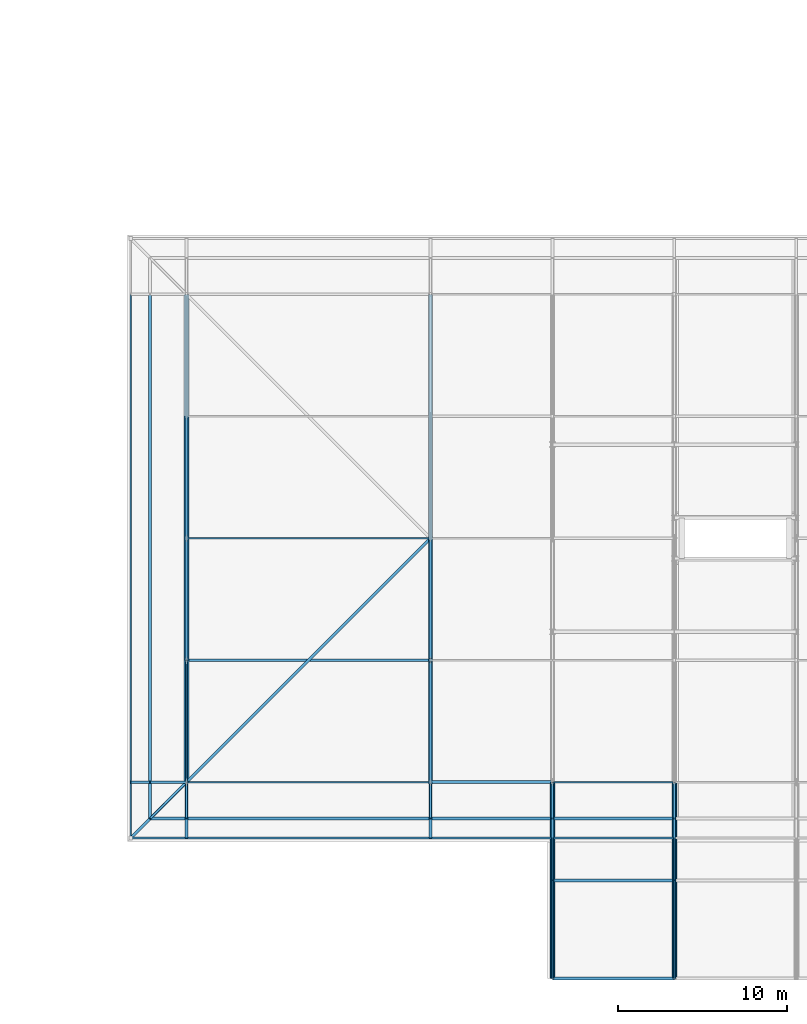
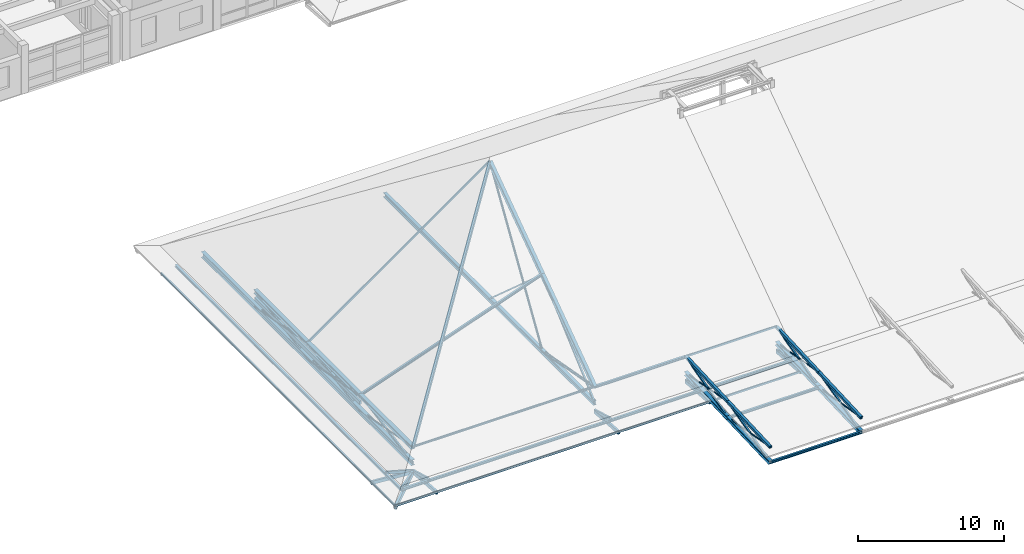
# One storey, part 3 of 100: 64 members, 2 beams.
"""IFC4 building model written with IfcOpenShell, lengths in metres."""

from ifc_helpers import new_model, si_unit, direction, frame, origin, origin_2d, place, context, subcontext, project, spatial, rectangle, hollow_rectangle, hollow_circle, i_section, extrude, material, material_profile, profile_set, type_object, element, save


model = new_model("IFC4")

# Units and contexts
model_context = context("Model", 3, precision=1e-05, world=origin(), true_north=direction((0.0, 1.0)))
body_context = subcontext(model_context, "Body", "Model", "MODEL_VIEW")
ifc_project = project(units=[si_unit("LENGTHUNIT", "METRE"), si_unit("AREAUNIT", "SQUARE_METRE"), si_unit("VOLUMEUNIT", "CUBIC_METRE"), si_unit("PLANEANGLEUNIT", "RADIAN"), si_unit("MASSUNIT", "GRAM", prefix="KILO")], contexts=[model_context])

# Site, building, storey
site_placement = place(None, origin())
site = spatial("IfcSite", under=ifc_project, at=site_placement, CompositionType="ELEMENT")
building_placement = place(site_placement, origin())
building = spatial("IfcBuilding", under=site, at=building_placement, Name="Steenspoor Specialist Clinic", CompositionType="ELEMENT")
storey_placement = place(building_placement, frame((0.0, 0.0, 9.0)))
storey = spatial("IfcBuildingStorey", under=building, at=storey_placement, Name="L02", CompositionType="ELEMENT", Elevation=9.0)

# Beams
ifc_material_1 = material(Name="Steel A992 Grade 50", Category="steel")
ifc_material_profile_1 = material_profile(ifc_material_1, i_section(OverallWidth=0.257080078125, OverallDepth=0.363037109375, WebThickness=0.012939453125, FlangeThickness=0.021728515625, at=origin_2d()), Name="W360X122")
ifc_profile_set_1 = profile_set([ifc_material_profile_1], Name="Steel A992 Grade 50")
beam_type_1 = type_object("IfcBeamType", Name="BM-ST-W360X122", PredefinedType="BEAM", material=ifc_profile_set_1)
beam_1_placement = place(storey_placement, frame((59.60009765625, 13.050048828125, 0.201416015625), z_axis=(0.0, 1.0, 0.0), x_axis=(-1.0, 0.0, 0.0)))
element("IfcBeam", 1, at=beam_1_placement, inside=storey, type_object=beam_type_1, Name="ROOF TRUSS Bottom Tie Chord V1 3", PredefinedType="BEAM", context=body_context, shape_type="SweptSolid", body=[
    extrude(i_section(OverallWidth=0.257080078125, OverallDepth=0.363037109375, WebThickness=0.012939453125, FlangeThickness=0.021728515625, at=origin_2d()), origin(), (0.0, 0.0, 1.0), 28.800048828125),
])
ifc_material_profile_2 = material_profile(ifc_material_1, i_section(OverallWidth=0.280029296875, OverallDepth=0.462890625, WebThickness=0.0107421875, FlangeThickness=0.017333984375, at=origin_2d()), Name="W460X113")
ifc_profile_set_2 = profile_set([ifc_material_profile_2], Name="Steel A992 Grade 50")
beam_type_2 = type_object("IfcBeamType", Name="BM-ST-W460X113", PredefinedType="BEAM", material=ifc_profile_set_2)
beam_2_placement = place(storey_placement, frame((45.199951171875, 13.050048828125, 0.25146484375), z_axis=(0.0, 1.0, 0.0), x_axis=(-1.0, 0.0, 0.0)))
element("IfcBeam", 2, at=beam_2_placement, inside=storey, type_object=beam_type_2, Name="ROOF TRUSS Bottom Tie Chord V1 1", PredefinedType="BEAM", context=body_context, shape_type="SweptSolid", body=[
    extrude(i_section(OverallWidth=0.280029296875, OverallDepth=0.462890625, WebThickness=0.0107421875, FlangeThickness=0.017333984375, at=origin_2d()), origin(), (0.0, 0.0, 1.0), 28.800048828125),
])

# Members
ifc_material_2 = material(Name="Steel A500 Grade C", Category="steel")
ifc_material_profile_3 = material_profile(ifc_material_2, hollow_circle(Radius=0.084228515625, WallThickness=0.007080078125, at=origin_2d()), Name="CHS168X7.1")
ifc_profile_set_3 = profile_set([ifc_material_profile_3], Name="Steel A500 Grade C")
member_type_1 = type_object("IfcMemberType", Name="MEM-BRACE-CHS168", PredefinedType="BRACE", material=ifc_profile_set_3)
member_1_placement = place(storey_placement, frame((45.199951171875, 27.449951171875, 1.537353515625), z_axis=(0.0, 0.984423242764, -0.175814900127), x_axis=(-1.0, 0.0, 0.0)))
element("IfcMember", 3, at=member_1_placement, inside=storey, type_object=member_type_1, Name="ROOF TRUSS Web Brace V1 1.3", PredefinedType="BRACE", context=body_context, shape_type="SweptSolid", body=[
    extrude(hollow_circle(Radius=0.084228515625, WallThickness=0.007080078125, at=origin_2d()), origin(), (0.0, 0.0, 1.0), 7.31396484375),
])
member_2_placement = place(storey_placement, frame((59.60009765625, 20.25, 0.201416015625), z_axis=(0.0, 0.531931785748, 0.84678720781), x_axis=(-1.0, 0.0, 0.0)))
element("IfcMember", 4, at=member_2_placement, inside=storey, type_object=member_type_1, Name="ROOF TRUSS Web Brace V1 3.2", PredefinedType="BRACE", context=body_context, shape_type="SweptSolid", body=[
    extrude(hollow_circle(Radius=0.084228515625, WallThickness=0.007080078125, at=origin_2d()), origin(), (0.0, 0.0, 1.0), 13.535400390625),
])
ifc_material_profile_4 = material_profile(ifc_material_2, hollow_rectangle(XDim=0.126953125, YDim=0.126953125, WallThickness=0.0087890625, at=origin_2d()), Name="HSS127X127X9.5")
ifc_profile_set_4 = profile_set([ifc_material_profile_4], Name="Steel A500 Grade C")
member_type_2 = type_object("IfcMemberType", Name="MEM-BRACE-H127A", PredefinedType="BRACE", material=ifc_profile_set_4)
member_3_placement = place(storey_placement, frame((45.199951171875, 13.050048828125, 0.25146484375), z_axis=(0.0, 0.984423242764, 0.175814900127), x_axis=(-1.0, 0.0, 0.0)))
element("IfcMember", 5, at=member_3_placement, inside=storey, type_object=member_type_2, Name="ROOF TRUSS Web Brace V1 1.1", PredefinedType="BRACE", context=body_context, shape_type="SweptSolid", body=[
    extrude(hollow_rectangle(XDim=0.126953125, YDim=0.126953125, WallThickness=0.0087890625, at=origin_2d()), origin(), (0.0, 0.0, 1.0), 7.31396484375),
])
member_4_placement = place(storey_placement, frame((66.800048828125, 13.050048828125, 1.580078125), z_axis=(0.0, -0.964051423942, -0.265715735319), x_axis=(1.0, 0.0, 0.0)))
element("IfcMember", 6, at=member_4_placement, inside=storey, type_object=member_type_2, Name="ROOF TRUSS Entrance Canopy Web Diagonal V1 4.1", PredefinedType="BRACE", context=body_context, shape_type="SweptSolid", body=[
    extrude(hollow_rectangle(XDim=0.126953125, YDim=0.126953125, WallThickness=0.0087890625, at=origin_2d()), origin(), (0.0, 0.0, 1.0), 6.016357421875),
])
member_5_placement = place(storey_placement, frame((66.800048828125, 7.25, 1.30029296875), z_axis=(0.0, -0.966560323044, -0.256439353292), x_axis=(1.0, 0.0, 0.0)))
element("IfcMember", 7, at=member_5_placement, inside=storey, type_object=member_type_2, Name="ROOF TRUSS Entrance Canopy Web Diagonal V1 4.2", PredefinedType="BRACE", context=body_context, shape_type="SweptSolid", body=[
    extrude(hollow_rectangle(XDim=0.126953125, YDim=0.126953125, WallThickness=0.0087890625, at=origin_2d()), origin(), (0.0, 0.0, 1.0), 6.000732421875),
])
member_6_placement = place(storey_placement, frame((74.0, 13.050048828125, 1.514892578125), z_axis=(0.0, -0.966781869286, -0.25560285057), x_axis=(1.0, 0.0, 0.0)))
element("IfcMember", 8, at=member_6_placement, inside=storey, type_object=member_type_2, Name="ROOF TRUSS Entrance Canopy Web Diagonal V1 5.1", PredefinedType="BRACE", context=body_context, shape_type="SweptSolid", body=[
    extrude(hollow_rectangle(XDim=0.126953125, YDim=0.126953125, WallThickness=0.0087890625, at=origin_2d()), origin(), (0.0, 0.0, 1.0), 5.999267578125),
])
member_7_placement = place(storey_placement, frame((74.0, 7.25, 1.23486328125), z_axis=(0.0, -0.96921639928, -0.246210420914), x_axis=(1.0, 0.0, 0.0)))
element("IfcMember", 9, at=member_7_placement, inside=storey, type_object=member_type_2, Name="ROOF TRUSS Entrance Canopy Web Diagonal V1 5.2", PredefinedType="BRACE", context=body_context, shape_type="SweptSolid", body=[
    extrude(hollow_rectangle(XDim=0.126953125, YDim=0.126953125, WallThickness=0.0087890625, at=origin_2d()), origin(), (0.0, 0.0, 1.0), 5.984375),
])
ifc_material_profile_5 = material_profile(ifc_material_2, hollow_rectangle(XDim=0.126953125, YDim=0.126953125, WallThickness=0.005859375, at=origin_2d()), Name="HSS127X127X6.4")
ifc_profile_set_5 = profile_set([ifc_material_profile_5], Name="Steel A500 Grade C")
member_type_3 = type_object("IfcMemberType", Name="MEM-BRACE-H127B", PredefinedType="BRACE", material=ifc_profile_set_5)
member_8_placement = place(storey_placement, frame((45.199951171875, 20.25, 0.25146484375), z_axis=(0.0, 0.984423242764, 0.175814900127), x_axis=(-1.0, 0.0, 0.0)))
element("IfcMember", 10, at=member_8_placement, inside=storey, type_object=member_type_3, Name="ROOF TRUSS Web Brace V1 1.2", PredefinedType="BRACE", context=body_context, shape_type="SweptSolid", body=[
    extrude(hollow_rectangle(XDim=0.126953125, YDim=0.126953125, WallThickness=0.005859375, at=origin_2d()), origin(), (0.0, 0.0, 1.0), 7.31396484375),
])
member_9_placement = place(storey_placement, frame((59.60009765625, 13.050048828125, 0.201416015625), z_axis=(0.0, 0.74804153249, 0.663651916045), x_axis=(-1.0, 0.0, 0.0)))
element("IfcMember", 11, at=member_9_placement, inside=storey, type_object=member_type_3, Name="ROOF TRUSS Web Brace V1 3.1", PredefinedType="BRACE", context=body_context, shape_type="SweptSolid", body=[
    extrude(hollow_rectangle(XDim=0.126953125, YDim=0.126953125, WallThickness=0.005859375, at=origin_2d()), origin(), (0.0, 0.0, 1.0), 9.625),
])
ifc_material_profile_6 = material_profile(ifc_material_2, hollow_rectangle(XDim=0.203125, YDim=0.203125, WallThickness=0.01171875, at=origin_2d()), Name="HSS203X203X12.7")
ifc_profile_set_6 = profile_set([ifc_material_profile_6], Name="Steel A500 Grade C")
member_type_4 = type_object("IfcMemberType", Name="MEM-CHORD-H203", PredefinedType="CHORD", material=ifc_profile_set_6)
for number, where, z_axis, x_axis, name in (
    (12, (66.800048828125, 13.050048828125, 1.580078125), (0.0, -0.998838554282, -0.048182387642), (1.0, 0.0, 0.0), "ROOF TRUSS Entrance Canopy Top Chord V1 4.1"),
    (13, (66.800048828125, 7.25, 1.30029296875), (0.0, -0.99883652998, -0.048224333876), (1.0, 0.0, 0.0), "ROOF TRUSS Entrance Canopy Top Chord V1 4.2"),
    (14, (74.0, 13.050048828125, 1.514892578125), (0.0, -0.99883652998, -0.048224333876), (1.0, 0.0, 0.0), "ROOF TRUSS Entrance Canopy Top Chord V1 5.1"),
    (15, (74.0, 7.25, 1.23486328125), (0.0, -0.99883652998, -0.048224333876), (1.0, 0.0, 0.0), "ROOF TRUSS Entrance Canopy Top Chord V1 5.2"),
):
    element("IfcMember", number, at=place(storey_placement, frame(where, z_axis=z_axis, x_axis=x_axis)), inside=storey, type_object=member_type_4, Name=name, PredefinedType="CHORD", context=body_context, shape_type="SweptSolid", body=[
        extrude(hollow_rectangle(XDim=0.203125, YDim=0.203125, WallThickness=0.01171875, at=origin_2d()), origin(), (0.0, 0.0, 1.0), 5.806884765625),
    ])
ifc_material_profile_7 = material_profile(ifc_material_1, i_section(OverallWidth=0.304931640625, OverallDepth=0.30810546875, WebThickness=0.010009765625, FlangeThickness=0.015380859375, at=origin_2d()), Name="W310X97")
ifc_profile_set_7 = profile_set([ifc_material_profile_7], Name="Steel A992 Grade 50")
member_type_5 = type_object("IfcMemberType", Name="MEM-CHORD-W310", PredefinedType="CHORD", material=ifc_profile_set_7)
for number, where, z_axis, x_axis, name in (
    (16, (45.199951171875, 13.050048828125, 1.537353515625), (0.0, 1.0, 0.0), (-1.0, 0.0, 0.0), "ROOF TRUSS Top Chord V1 1.1"),
    (17, (45.199951171875, 20.25, 1.537353515625), (0.0, 1.0, 0.0), (-1.0, 0.0, 0.0), "ROOF TRUSS Top Chord V1 1.2"),
    (18, (45.199951171875, 27.449951171875, 1.537353515625), (0.0, 1.0, 0.0), (-1.0, 0.0, 0.0), "ROOF TRUSS Top Chord V1 1.3"),
):
    element("IfcMember", number, at=place(storey_placement, frame(where, z_axis=z_axis, x_axis=x_axis)), inside=storey, type_object=member_type_5, Name=name, PredefinedType="CHORD", context=body_context, shape_type="SweptSolid", body=[
        extrude(i_section(OverallWidth=0.304931640625, OverallDepth=0.30810546875, WebThickness=0.010009765625, FlangeThickness=0.015380859375, at=origin_2d()), origin(), (0.0, 0.0, 1.0), 7.199951171875),
    ])
for number, where, z_axis, x_axis, name in (
    (19, (66.800048828125, 13.050048828125, 0.201416015625), (0.0, -0.999281596901, -0.0378984181), (1.0, 0.0, 0.0), "ROOF TRUSS Entrance Canopy Bottom Chord V1 4.1"),
    (20, (66.800048828125, 7.25, -0.0185546875), (0.0, -0.999281596901, -0.0378984181), (1.0, 0.0, 0.0), "ROOF TRUSS Entrance Canopy Bottom Chord V1 4.2"),
    (21, (74.0, 13.050048828125, 0.201416015625), (0.0, -0.999281596901, -0.0378984181), (1.0, 0.0, 0.0), "ROOF TRUSS Entrance Canopy Bottom Chord V1 5.1"),
    (22, (74.0, 7.25, -0.0185546875), (0.0, -0.999281596901, -0.0378984181), (1.0, 0.0, 0.0), "ROOF TRUSS Entrance Canopy Bottom Chord V1 5.2"),
):
    element("IfcMember", number, at=place(storey_placement, frame(where, z_axis=z_axis, x_axis=x_axis)), inside=storey, type_object=member_type_5, Name=name, PredefinedType="CHORD", context=body_context, shape_type="SweptSolid", body=[
        extrude(i_section(OverallWidth=0.304931640625, OverallDepth=0.30810546875, WebThickness=0.010009765625, FlangeThickness=0.015380859375, at=origin_2d()), origin(), (0.0, 0.0, 1.0), 5.80419921875),
    ])
ifc_material_profile_8 = material_profile(ifc_material_1, i_section(OverallWidth=0.257080078125, OverallDepth=0.363037109375, WebThickness=0.012939453125, FlangeThickness=0.021728515625, at=origin_2d()), Name="W360X122")
ifc_profile_set_8 = profile_set([ifc_material_profile_8], Name="Steel A992 Grade 50")
member_type_6 = type_object("IfcMemberType", Name="MEM-CHORD-W360", PredefinedType="CHORD", material=ifc_profile_set_8)
member_10_placement = place(storey_placement, frame((59.60009765625, 13.050048828125, 1.514892578125), z_axis=(0.0, 0.817400862254, 0.576069293042), x_axis=(-1.0, 0.0, 0.0)))
element("IfcMember", 23, at=member_10_placement, inside=storey, type_object=member_type_6, Name="ROOF TRUSS Top Chord V1 3.1", PredefinedType="CHORD", context=body_context, shape_type="SweptSolid", body=[
    extrude(i_section(OverallWidth=0.257080078125, OverallDepth=0.363037109375, WebThickness=0.012939453125, FlangeThickness=0.021728515625, at=origin_2d()), origin(), (0.0, 0.0, 1.0), 8.808349609375),
])
member_11_placement = place(storey_placement, frame((59.60009765625, 20.25, 6.589111328125), z_axis=(0.0, 0.817413913602, 0.576050773673), x_axis=(-1.0, 0.0, 0.0)))
element("IfcMember", 24, at=member_11_placement, inside=storey, type_object=member_type_6, Name="ROOF TRUSS Top Chord V1 3.2", PredefinedType="CHORD", context=body_context, shape_type="SweptSolid", body=[
    extrude(i_section(OverallWidth=0.257080078125, OverallDepth=0.363037109375, WebThickness=0.012939453125, FlangeThickness=0.021728515625, at=origin_2d()), origin(), (0.0, 0.0, 1.0), 8.80810546875),
])
ifc_material_profile_9 = material_profile(ifc_material_2, hollow_rectangle(XDim=0.1015625, YDim=0.15234375, WallThickness=0.005859375, at=origin_2d()), Name="HSS152X102X6.4")
ifc_profile_set_9 = profile_set([ifc_material_profile_9], Name="Steel A500 Grade C")
member_type_7 = type_object("IfcMemberType", Name="MEM-PURLIN-H152", PredefinedType="PURLIN", material=ifc_profile_set_9)
member_12_placement = place(storey_placement, frame((41.89990234375, 9.75, -0.19482421875), z_axis=(1.0, 0.0, 0.0), x_axis=(0.0, 1.0, 0.0)))
element("IfcMember", 25, at=member_12_placement, inside=storey, type_object=member_type_7, Name="ROOF TRUSS Eave Fascia 1", PredefinedType="PURLIN", context=body_context, shape_type="SweptSolid", body=[
    extrude(hollow_rectangle(XDim=0.1015625, YDim=0.15234375, WallThickness=0.005859375, at=origin_2d()), origin(), (0.0, 0.0, 1.0), 3.300048828125),
])
member_13_placement = place(storey_placement, frame((45.199951171875, 9.75, -0.19482421875), z_axis=(1.0, 0.0, 0.0), x_axis=(0.0, 1.0, 0.0)))
element("IfcMember", 26, at=member_13_placement, inside=storey, type_object=member_type_7, Name="ROOF TRUSS Eave Fascia 2", PredefinedType="PURLIN", context=body_context, shape_type="SweptSolid", body=[
    extrude(hollow_rectangle(XDim=0.1015625, YDim=0.15234375, WallThickness=0.005859375, at=origin_2d()), origin(), (0.0, 0.0, 1.0), 14.400146484375),
])
for number, where, z_axis, x_axis, name in (
    (27, (59.60009765625, 9.75, -0.19482421875), (1.0, 0.0, 0.0), (0.0, 1.0, 0.0), "ROOF TRUSS Eave Fascia 3"),
    (28, (66.800048828125, 9.75, -0.19482421875), (1.0, 0.0, 0.0), (0.0, 1.0, 0.0), "ROOF TRUSS Eave Fascia 4"),
):
    element("IfcMember", number, at=place(storey_placement, frame(where, z_axis=z_axis, x_axis=x_axis)), inside=storey, type_object=member_type_7, Name=name, PredefinedType="PURLIN", context=body_context, shape_type="SweptSolid", body=[
        extrude(hollow_rectangle(XDim=0.1015625, YDim=0.15234375, WallThickness=0.005859375, at=origin_2d()), origin(), (0.0, 0.0, 1.0), 7.199951171875),
    ])
member_14_placement = place(storey_placement, frame((41.89990234375, 9.75, -0.19482421875), z_axis=(0.0, 1.0, 0.0), x_axis=(-1.0, 0.0, 0.0)))
element("IfcMember", 29, at=member_14_placement, inside=storey, type_object=member_type_7, Name="ROOF TRUSS Eave Fascia 19", PredefinedType="PURLIN", context=body_context, shape_type="SweptSolid", body=[
    extrude(hollow_rectangle(XDim=0.1015625, YDim=0.15234375, WallThickness=0.005859375, at=origin_2d()), origin(), (0.0, 0.0, 1.0), 3.300048828125),
])
member_15_placement = place(storey_placement, frame((41.89990234375, 13.050048828125, -0.19482421875), z_axis=(0.0, 1.0, 0.0), x_axis=(-1.0, 0.0, 0.0)))
element("IfcMember", 30, at=member_15_placement, inside=storey, type_object=member_type_7, Name="ROOF TRUSS Eave Fascia 20", PredefinedType="PURLIN", context=body_context, shape_type="SweptSolid", body=[
    extrude(hollow_rectangle(XDim=0.1015625, YDim=0.15234375, WallThickness=0.005859375, at=origin_2d()), origin(), (0.0, 0.0, 1.0), 28.800048828125),
])
member_16_placement = place(storey_placement, frame((45.199951171875, 27.449951171875, 1.587158203125), z_axis=(0.817411986757, 0.0, 0.57605350785), x_axis=(0.0, 1.0, 0.0)))
element("IfcMember", 31, at=member_16_placement, inside=storey, type_object=member_type_7, Name="ROOF TRUSS Purlin 45", PredefinedType="PURLIN", context=body_context, shape_type="SweptSolid", body=[
    extrude(hollow_rectangle(XDim=0.1015625, YDim=0.15234375, WallThickness=0.005859375, at=origin_2d()), origin(), (0.0, 0.0, 1.0), 17.61669921875),
])
member_17_placement = place(storey_placement, frame((66.800048828125, 13.050048828125, 1.587158203125), z_axis=(1.0, 0.0, 0.0), x_axis=(0.0, 1.0, 0.0)))
element("IfcMember", 32, at=member_17_placement, inside=storey, type_object=member_type_7, Name="ROOF TRUSS Purlin 53", PredefinedType="PURLIN", context=body_context, shape_type="SweptSolid", body=[
    extrude(hollow_rectangle(XDim=0.1015625, YDim=0.15234375, WallThickness=0.005859375, at=origin_2d()), origin(), (0.0, 0.0, 1.0), 7.199951171875),
])
ifc_material_profile_10 = material_profile(ifc_material_1, i_section(OverallWidth=0.10205078125, OverallDepth=0.159912109375, WebThickness=0.006591796875, FlangeThickness=0.01025390625, at=origin_2d()), Name="W150X24")
ifc_profile_set_10 = profile_set([ifc_material_profile_10], Name="Steel A992 Grade 50")
member_type_8 = type_object("IfcMemberType", Name="MEM-PURLIN-W150", PredefinedType="PURLIN", material=ifc_profile_set_10)
member_18_placement = place(storey_placement, frame((45.199951171875, 13.050048828125, 1.583251953125), z_axis=(1.0, 0.0, 0.0), x_axis=(0.0, 1.0, 0.0)))
element("IfcMember", 33, at=member_18_placement, inside=storey, type_object=member_type_8, Name="ROOF TRUSS Purlin 43", PredefinedType="PURLIN", context=body_context, shape_type="SweptSolid", body=[
    extrude(i_section(OverallWidth=0.10205078125, OverallDepth=0.159912109375, WebThickness=0.006591796875, FlangeThickness=0.01025390625, at=origin_2d()), origin(), (0.0, 0.0, 1.0), 14.400146484375),
])
ifc_material_profile_11 = material_profile(ifc_material_1, i_section(OverallWidth=0.1650390625, OverallDepth=0.200927734375, WebThickness=0.006103515625, FlangeThickness=0.01025390625, at=origin_2d()), Name="W200X36")
ifc_profile_set_11 = profile_set([ifc_material_profile_11], Name="Steel A992 Grade 50")
member_type_9 = type_object("IfcMemberType", Name="MEM-PURLIN-W200", PredefinedType="PURLIN", material=ifc_profile_set_11)
member_19_placement = place(storey_placement, frame((43.050048828125, 10.89990234375, 0.049560546875), z_axis=(1.0, 0.0, 0.0), x_axis=(0.0, 1.0, 0.0)))
element("IfcMember", 34, at=member_19_placement, inside=storey, type_object=member_type_9, Name="ROOF TRUSS Knuckle Purlin 22", PredefinedType="PURLIN", context=body_context, shape_type="SweptSolid", body=[
    extrude(i_section(OverallWidth=0.1650390625, OverallDepth=0.200927734375, WebThickness=0.006103515625, FlangeThickness=0.01025390625, at=origin_2d()), origin(), (0.0, 0.0, 1.0), 2.14990234375),
])
member_20_placement = place(storey_placement, frame((45.199951171875, 10.89990234375, 0.049560546875), z_axis=(1.0, 0.0, 0.0), x_axis=(0.0, 1.0, 0.0)))
element("IfcMember", 35, at=member_20_placement, inside=storey, type_object=member_type_9, Name="ROOF TRUSS Knuckle Purlin 24", PredefinedType="PURLIN", context=body_context, shape_type="SweptSolid", body=[
    extrude(i_section(OverallWidth=0.1650390625, OverallDepth=0.200927734375, WebThickness=0.006103515625, FlangeThickness=0.01025390625, at=origin_2d()), origin(), (0.0, 0.0, 1.0), 14.400146484375),
])
for number, where, z_axis, x_axis, name in (
    (36, (59.60009765625, 10.89990234375, 0.049560546875), (1.0, 0.0, 0.0), (0.0, 1.0, 0.0), "ROOF TRUSS Knuckle Purlin 26"),
    (37, (66.800048828125, 10.89990234375, 0.049560546875), (1.0, 0.0, 0.0), (0.0, 1.0, 0.0), "ROOF TRUSS Knuckle Purlin 28"),
):
    element("IfcMember", number, at=place(storey_placement, frame(where, z_axis=z_axis, x_axis=x_axis)), inside=storey, type_object=member_type_9, Name=name, PredefinedType="PURLIN", context=body_context, shape_type="SweptSolid", body=[
        extrude(i_section(OverallWidth=0.1650390625, OverallDepth=0.200927734375, WebThickness=0.006103515625, FlangeThickness=0.01025390625, at=origin_2d()), origin(), (0.0, 0.0, 1.0), 7.199951171875),
    ])
member_21_placement = place(storey_placement, frame((43.050048828125, 10.89990234375, 0.049560546875), z_axis=(0.0, 1.0, 0.0), x_axis=(-1.0, 0.0, 0.0)))
element("IfcMember", 38, at=member_21_placement, inside=storey, type_object=member_type_9, Name="ROOF TRUSS Knuckle Purlin 40", PredefinedType="PURLIN", context=body_context, shape_type="SweptSolid", body=[
    extrude(i_section(OverallWidth=0.1650390625, OverallDepth=0.200927734375, WebThickness=0.006103515625, FlangeThickness=0.01025390625, at=origin_2d()), origin(), (0.0, 0.0, 1.0), 2.150146484375),
])
member_22_placement = place(storey_placement, frame((43.050048828125, 13.050048828125, 0.049560546875), z_axis=(0.0, 1.0, 0.0), x_axis=(-1.0, 0.0, 0.0)))
element("IfcMember", 39, at=member_22_placement, inside=storey, type_object=member_type_9, Name="ROOF TRUSS Knuckle Purlin 41", PredefinedType="PURLIN", context=body_context, shape_type="SweptSolid", body=[
    extrude(i_section(OverallWidth=0.1650390625, OverallDepth=0.200927734375, WebThickness=0.006103515625, FlangeThickness=0.01025390625, at=origin_2d()), origin(), (0.0, 0.0, 1.0), 28.800048828125),
])
member_23_placement = place(storey_placement, frame((45.199951171875, 20.25, 1.562744140625), z_axis=(0.943158480686, 0.0, 0.332343316932), x_axis=(0.0, 1.0, 0.0)))
element("IfcMember", 40, at=member_23_placement, inside=storey, type_object=member_type_9, Name="ROOF TRUSS Purlin 44", PredefinedType="PURLIN", context=body_context, shape_type="SweptSolid", body=[
    extrude(i_section(OverallWidth=0.1650390625, OverallDepth=0.200927734375, WebThickness=0.006103515625, FlangeThickness=0.01025390625, at=origin_2d()), origin(), (0.0, 0.0, 1.0), 15.26806640625),
])
for number, where, z_axis, x_axis, name in (
    (41, (59.60009765625, 13.050048828125, 1.562744140625), (1.0, 0.0, 0.0), (0.0, 1.0, 0.0), "ROOF TRUSS Purlin 48"),
    (42, (66.800048828125, 7.25, -0.0185546875), (1.0, 0.0, 0.0), (0.0, 1.0, 0.0), "ROOF TRUSS Canopy Purlin 86"),
    (43, (66.800048828125, 1.449951171875, -0.238525390625), (1.0, 0.0, 0.0), (0.0, 1.0, 0.0), "ROOF TRUSS Canopy Purlin 87"),
):
    element("IfcMember", number, at=place(storey_placement, frame(where, z_axis=z_axis, x_axis=x_axis)), inside=storey, type_object=member_type_9, Name=name, PredefinedType="PURLIN", context=body_context, shape_type="SweptSolid", body=[
        extrude(i_section(OverallWidth=0.1650390625, OverallDepth=0.200927734375, WebThickness=0.006103515625, FlangeThickness=0.01025390625, at=origin_2d()), origin(), (0.0, 0.0, 1.0), 7.199951171875),
    ])
ifc_material_3 = material(Name="Glulam GL28h", Category="wood")
ifc_material_profile_12 = material_profile(ifc_material_3, rectangle(XDim=0.139892578125, YDim=0.219970703125, at=origin_2d()), Name="GL28H-140X220")
ifc_profile_set_12 = profile_set([ifc_material_profile_12], Name="Glulam GL28h")
member_type_10 = type_object("IfcMemberType", Name="MEM-RAFTER-GL220", PredefinedType="RAFTER", material=ifc_profile_set_12)
for number, where, z_axis, x_axis, name in (
    (44, (45.199951171875, 13.050048828125, -0.42333984375), (0.0, -0.963218029425, 0.268721096661), (1.0, 0.0, 0.0), "ROOF TRUSS Knuckle Rafter V1 2"),
    (45, (59.60009765625, 13.050048828125, -0.42333984375), (0.0, -0.963218029425, 0.268721096661), (1.0, 0.0, 0.0), "ROOF TRUSS Knuckle Rafter V1 6"),
    (46, (66.800048828125, 13.050048828125, -0.42333984375), (0.0, -0.963218029425, 0.268721096661), (1.0, 0.0, 0.0), "ROOF TRUSS Knuckle Rafter V1 10"),
    (47, (74.0, 13.050048828125, -0.42333984375), (0.0, -0.963218029425, 0.268721096661), (1.0, 0.0, 0.0), "ROOF TRUSS Knuckle Rafter V1 14"),
):
    element("IfcMember", number, at=place(storey_placement, frame(where, z_axis=z_axis, x_axis=x_axis)), inside=storey, type_object=member_type_10, Name=name, PredefinedType="RAFTER", context=body_context, shape_type="SweptSolid", body=[
        extrude(rectangle(XDim=0.139892578125, YDim=0.219970703125, at=origin_2d()), origin(), (0.0, 0.0, 1.0), 2.232177734375),
    ])
member_24_placement = place(storey_placement, frame((45.199951171875, 13.050048828125, -0.42333984375), z_axis=(-0.963210130486, 0.0, 0.268749408426), x_axis=(0.0, -1.0, 0.0)))
element("IfcMember", 48, at=member_24_placement, inside=storey, type_object=member_type_10, Name="ROOF TRUSS Knuckle Rafter V1 38", PredefinedType="RAFTER", context=body_context, shape_type="SweptSolid", body=[
    extrude(rectangle(XDim=0.139892578125, YDim=0.219970703125, at=origin_2d()), origin(), (0.0, 0.0, 1.0), 2.23193359375),
])
member_25_placement = place(storey_placement, frame((45.199951171875, 13.050048828125, -0.5), z_axis=(-0.690189561111, -0.690267938304, 0.217183201662), x_axis=(0.707146926915, -0.707066633179, 0.0)))
element("IfcMember", 49, at=member_25_placement, inside=storey, type_object=member_type_10, Name="ROOF TRUSS Corner Knuckle Rafter V1 42", PredefinedType="RAFTER", context=body_context, shape_type="SweptSolid", body=[
    extrude(rectangle(XDim=0.139892578125, YDim=0.219970703125, at=origin_2d()), origin(), (0.0, 0.0, 1.0), 3.114990234375),
])
ifc_material_profile_13 = material_profile(ifc_material_3, rectangle(XDim=0.159912109375, YDim=0.280029296875, at=origin_2d()), Name="GL28H-160X280")
ifc_profile_set_13 = profile_set([ifc_material_profile_13], Name="Glulam GL28h")
member_type_11 = type_object("IfcMemberType", Name="MEM-RAFTER-GL280", PredefinedType="RAFTER", material=ifc_profile_set_13)
for number, where, z_axis, x_axis, name in (
    (50, (45.199951171875, 13.050048828125, -0.5), (0.0, -0.997518653982, 0.070402663009), (1.0, 0.0, 0.0), "ROOF TRUSS Flared Eave Glulam Outrigger V1 1"),
    (51, (59.60009765625, 13.050048828125, -0.5), (0.0, -0.997518653982, 0.070402663009), (1.0, 0.0, 0.0), "ROOF TRUSS Flared Eave Glulam Outrigger V1 5"),
    (52, (66.800048828125, 13.050048828125, -0.5), (0.0, -0.997518653982, 0.070402663009), (1.0, 0.0, 0.0), "ROOF TRUSS Flared Eave Glulam Outrigger V1 9"),
    (53, (74.0, 13.050048828125, -0.5), (0.0, -0.997518653982, 0.070402663009), (1.0, 0.0, 0.0), "ROOF TRUSS Flared Eave Glulam Outrigger V1 13"),
    (54, (45.199951171875, 13.050048828125, -0.5), (-0.997518653982, 0.0, 0.070402663009), (0.0, -1.0, 0.0), "ROOF TRUSS Flared Eave Glulam Outrigger V1 37"),
):
    element("IfcMember", number, at=place(storey_placement, frame(where, z_axis=z_axis, x_axis=x_axis)), inside=storey, type_object=member_type_11, Name=name, PredefinedType="RAFTER", context=body_context, shape_type="SweptSolid", body=[
        extrude(rectangle(XDim=0.159912109375, YDim=0.280029296875, at=origin_2d()), origin(), (0.0, 0.0, 1.0), 3.308349609375),
    ])
member_26_placement = place(storey_placement, frame((45.199951171875, 20.25, 0.89404296875), z_axis=(0.0, 1.0, 0.0), x_axis=(-1.0, 0.0, 0.0)))
element("IfcMember", 55, at=member_26_placement, inside=storey, type_object=member_type_11, Name="ROOF TRUSS Glulam Collar Rafter V1 1", PredefinedType="RAFTER", context=body_context, shape_type="SweptSolid", body=[
    extrude(rectangle(XDim=0.159912109375, YDim=0.280029296875, at=origin_2d()), origin(), (0.0, 0.0, 1.0), 14.39990234375),
])
ifc_material_profile_14 = material_profile(ifc_material_3, rectangle(XDim=0.179931640625, YDim=0.360107421875, at=origin_2d()), Name="GL28H-180X360")
ifc_profile_set_14 = profile_set([ifc_material_profile_14], Name="Glulam GL28h")
member_type_12 = type_object("IfcMemberType", Name="MEM-RAFTER-GL360", PredefinedType="RAFTER", material=ifc_profile_set_14)
member_27_placement = place(storey_placement, frame((45.199951171875, 13.050048828125, -0.5), z_axis=(-0.706509801958, -0.706509801958, 0.041082836749), x_axis=(0.707106781187, -0.707106781187, 0.0)))
element("IfcMember", 56, at=member_27_placement, inside=storey, type_object=member_type_12, Name="ROOF TRUSS Corner Hip Outrigger V1 41", PredefinedType="RAFTER", context=body_context, shape_type="SweptSolid", body=[
    extrude(rectangle(XDim=0.179931640625, YDim=0.360107421875, at=origin_2d()), origin(), (0.0, 0.0, 1.0), 4.6708984375),
])
member_28_placement = place(storey_placement, frame((45.199951171875, 13.050048828125, 1.537353515625), z_axis=(0.633163510054, 0.633152775376, 0.445220768349), x_axis=(-0.707100786953, 0.707112775369, 0.0)))
element("IfcMember", 57, at=member_28_placement, inside=storey, type_object=member_type_12, Name="ROOF TRUSS Hip Rafter V1 82", PredefinedType="RAFTER", context=body_context, shape_type="SweptSolid", body=[
    extrude(rectangle(XDim=0.179931640625, YDim=0.360107421875, at=origin_2d()), origin(), (0.0, 0.0, 1.0), 22.7431640625),
])
ifc_material_profile_15 = material_profile(ifc_material_2, hollow_circle(Radius=0.05712890625, WallThickness=0.006103515625, at=origin_2d()), Name="CHS114X6.0")
ifc_profile_set_15 = profile_set([ifc_material_profile_15], Name="Steel A500 Grade C")
member_type_13 = type_object("IfcMemberType", Name="MEM-STRUT-CHS114", PredefinedType="STRUT", material=ifc_profile_set_15)
member_29_placement = place(storey_placement, frame((45.199951171875, 13.050048828125, 1.537353515625), z_axis=(0.0, 0.984423242764, -0.175814900127), x_axis=(-1.0, 0.0, 0.0)))
element("IfcMember", 58, at=member_29_placement, inside=storey, type_object=member_type_13, Name="ROOF TRUSS Web Strut V1 1.1", PredefinedType="STRUT", context=body_context, shape_type="SweptSolid", body=[
    extrude(hollow_circle(Radius=0.05712890625, WallThickness=0.006103515625, at=origin_2d()), origin(), (0.0, 0.0, 1.0), 7.31396484375),
])
member_30_placement = place(storey_placement, frame((66.800048828125, 13.050048828125, 0.201416015625), z_axis=(0.0, -0.982521621863, 0.186148496022), x_axis=(1.0, 0.0, 0.0)))
element("IfcMember", 59, at=member_30_placement, inside=storey, type_object=member_type_13, Name="ROOF TRUSS Entrance Canopy Web Strut V1 4.1", PredefinedType="STRUT", context=body_context, shape_type="SweptSolid", body=[
    extrude(hollow_circle(Radius=0.05712890625, WallThickness=0.006103515625, at=origin_2d()), origin(), (0.0, 0.0, 1.0), 5.9033203125),
])
member_31_placement = place(storey_placement, frame((66.800048828125, 7.25, -0.0185546875), z_axis=(0.0, -0.98433653593, 0.176299699473), x_axis=(1.0, 0.0, 0.0)))
element("IfcMember", 60, at=member_31_placement, inside=storey, type_object=member_type_13, Name="ROOF TRUSS Entrance Canopy Web Strut V1 4.2", PredefinedType="STRUT", context=body_context, shape_type="SweptSolid", body=[
    extrude(hollow_circle(Radius=0.05712890625, WallThickness=0.006103515625, at=origin_2d()), origin(), (0.0, 0.0, 1.0), 5.892333984375),
])
member_32_placement = place(storey_placement, frame((74.0, 13.050048828125, 0.201416015625), z_axis=(0.0, -0.984494351595, 0.175416281109), x_axis=(1.0, 0.0, 0.0)))
element("IfcMember", 61, at=member_32_placement, inside=storey, type_object=member_type_13, Name="ROOF TRUSS Entrance Canopy Web Strut V1 5.1", PredefinedType="STRUT", context=body_context, shape_type="SweptSolid", body=[
    extrude(hollow_circle(Radius=0.05712890625, WallThickness=0.006103515625, at=origin_2d()), origin(), (0.0, 0.0, 1.0), 5.891357421875),
])
member_33_placement = place(storey_placement, frame((74.0, 7.25, -0.0185546875), z_axis=(0.0, -0.986208175951, 0.165509618113), x_axis=(1.0, 0.0, 0.0)))
element("IfcMember", 62, at=member_33_placement, inside=storey, type_object=member_type_13, Name="ROOF TRUSS Entrance Canopy Web Strut V1 5.2", PredefinedType="STRUT", context=body_context, shape_type="SweptSolid", body=[
    extrude(hollow_circle(Radius=0.05712890625, WallThickness=0.006103515625, at=origin_2d()), origin(), (0.0, 0.0, 1.0), 5.881103515625),
])
ifc_material_profile_16 = material_profile(ifc_material_2, hollow_circle(Radius=0.109619140625, WallThickness=0.00830078125, at=origin_2d()), Name="CHS219X8.2")
ifc_profile_set_16 = profile_set([ifc_material_profile_16], Name="Steel A500 Grade C")
member_type_14 = type_object("IfcMemberType", Name="MEM-STRUT-CHS219", PredefinedType="STRUT", material=ifc_profile_set_16)
member_34_placement = place(storey_placement, frame((45.199951171875, 20.25, 1.537353515625), z_axis=(0.0, 0.984423242764, -0.175814900127), x_axis=(-1.0, 0.0, 0.0)))
element("IfcMember", 63, at=member_34_placement, inside=storey, type_object=member_type_14, Name="ROOF TRUSS Web Strut V1 1.2", PredefinedType="STRUT", context=body_context, shape_type="SweptSolid", body=[
    extrude(hollow_circle(Radius=0.109619140625, WallThickness=0.00830078125, at=origin_2d()), origin(), (0.0, 0.0, 1.0), 7.31396484375),
])
member_35_placement = place(storey_placement, frame((59.60009765625, 13.050048828125, 1.514892578125), z_axis=(0.0, 0.983764059919, -0.179466638716), x_axis=(-1.0, 0.0, 0.0)))
element("IfcMember", 64, at=member_35_placement, inside=storey, type_object=member_type_14, Name="ROOF TRUSS Web Strut V1 3.1", PredefinedType="STRUT", context=body_context, shape_type="SweptSolid", body=[
    extrude(hollow_circle(Radius=0.109619140625, WallThickness=0.00830078125, at=origin_2d()), origin(), (0.0, 0.0, 1.0), 7.31884765625),
])
ifc_material_profile_17 = material_profile(ifc_material_2, hollow_rectangle(XDim=0.1015625, YDim=0.1015625, WallThickness=0.005859375, at=origin_2d()), Name="HSS102X102X6.4")
ifc_profile_set_17 = profile_set([ifc_material_profile_17], Name="Steel A500 Grade C")
member_type_15 = type_object("IfcMemberType", Name="MEM-STRUT-H102", PredefinedType="STRUT", material=ifc_profile_set_17)
member_36_placement = place(storey_placement, frame((45.199951171875, 27.449951171875, 0.25146484375), z_axis=(0.0, 0.984423242764, 0.175814900127), x_axis=(-1.0, 0.0, 0.0)))
element("IfcMember", 65, at=member_36_placement, inside=storey, type_object=member_type_15, Name="ROOF TRUSS Web Strut V1 1.3", PredefinedType="STRUT", context=body_context, shape_type="SweptSolid", body=[
    extrude(hollow_rectangle(XDim=0.1015625, YDim=0.1015625, WallThickness=0.005859375, at=origin_2d()), origin(), (0.0, 0.0, 1.0), 7.31396484375),
])
member_37_placement = place(storey_placement, frame((59.60009765625, 20.25, 6.589111328125), z_axis=(0.0, 0.74804153249, -0.663651916045), x_axis=(-1.0, 0.0, 0.0)))
element("IfcMember", 66, at=member_37_placement, inside=storey, type_object=member_type_15, Name="ROOF TRUSS Web Strut V1 3.2", PredefinedType="STRUT", context=body_context, shape_type="SweptSolid", body=[
    extrude(hollow_rectangle(XDim=0.1015625, YDim=0.1015625, WallThickness=0.005859375, at=origin_2d()), origin(), (0.0, 0.0, 1.0), 9.625),
])

save(model, "model.ifc")
